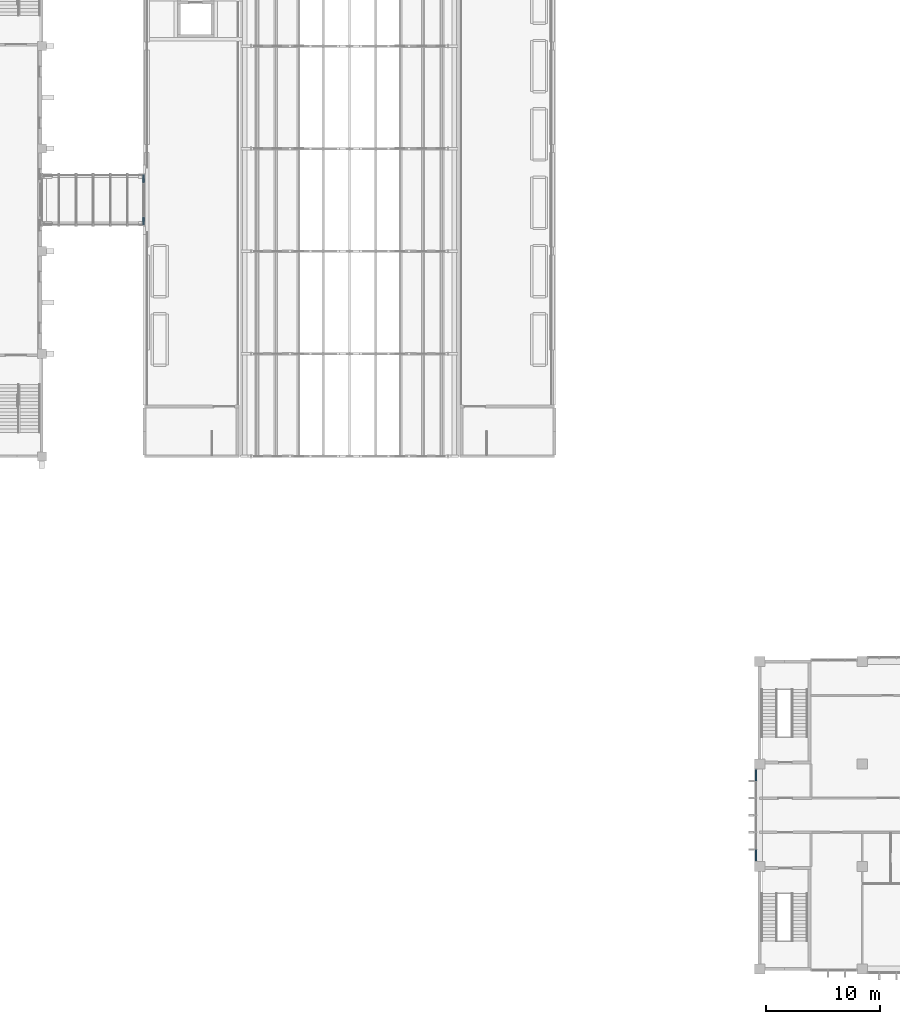
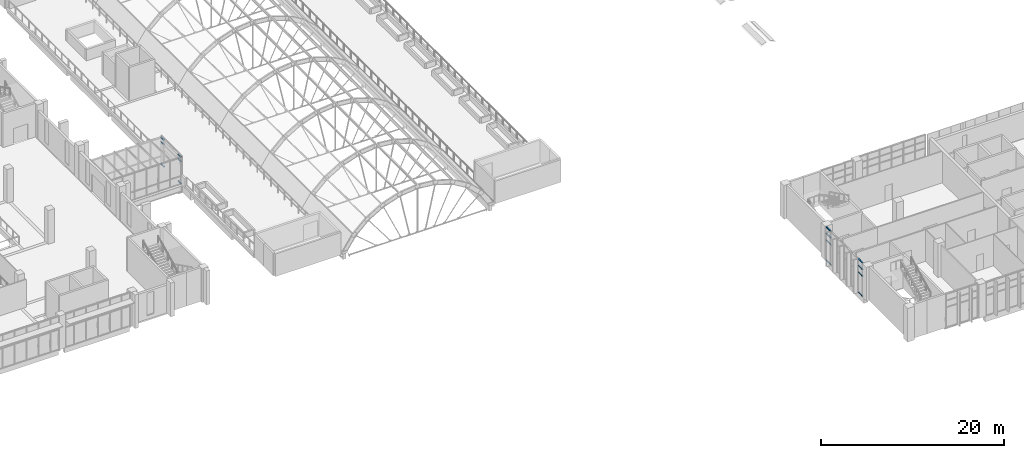
# One storey, part 38 of 79: 14 members, 2 elements without a shape of their own.
"""IFC4 building model written with IfcOpenShell, lengths in metres."""

from ifc_helpers import new_model, si_unit, direction, frame, origin, origin_2d, place, context, subcontext, project, spatial, rectangle, extrude, material, layer, layer_set, material_profile, profile_set, type_object, element, aggregate, save


model = new_model("IFC4")

# Units and contexts
model_context = context("Model", 3, precision=1e-05, world=origin(), true_north=direction((0.0, 1.0)))
body_context = subcontext(model_context, "Body", "Model", "MODEL_VIEW")
ifc_project = project(units=[si_unit("LENGTHUNIT", "METRE"), si_unit("AREAUNIT", "SQUARE_METRE"), si_unit("VOLUMEUNIT", "CUBIC_METRE"), si_unit("PLANEANGLEUNIT", "RADIAN"), si_unit("MASSUNIT", "GRAM", prefix="KILO")], contexts=[model_context])

# Site, building, storey
site_placement = place(None, origin())
site = spatial("IfcSite", under=ifc_project, at=site_placement, CompositionType="ELEMENT")
building_placement = place(site_placement, origin())
building = spatial("IfcBuilding", under=site, at=building_placement, Name="Guidao Yard Department Store", CompositionType="ELEMENT")
storey_placement = place(building_placement, frame((0.0, 0.0, 15.0)))
storey = spatial("IfcBuildingStorey", under=building, at=storey_placement, Name="L03", CompositionType="ELEMENT", Elevation=15.0)

# Curtain wall, members
ifc_material_1 = material(Name="Aluminium and glass", Category="aluminium")
ifc_layer_1 = layer(ifc_material_1, 0.159912109375)
ifc_layer_set_1 = layer_set([ifc_layer_1], Name="Unitised curtain wall CW4 1500 module")
curtain_wall_type_1 = type_object("IfcCurtainWallType", Name="Unitised curtain wall CW4 1500 module", PredefinedType="NOTDEFINED", material=ifc_layer_set_1)
curtain_wall_1_placement = place(storey_placement, origin())
curtain_wall_1 = element("IfcCurtainWall", 1, at=curtain_wall_1_placement, inside=storey, type_object=curtain_wall_type_1, Name="Unitised curtain wall", PredefinedType="NOTDEFINED")
ifc_material_2 = material(Name="Aluminium 6063-T5", Category="aluminium")
ifc_material_profile = material_profile(ifc_material_2, rectangle(XDim=0.1201171875, YDim=0.06005859375, at=origin_2d()), Name="Transom T1 60 x 120 aluminium pressure plate")
ifc_profile_set = profile_set([ifc_material_profile], Name="Aluminium 6063-T5")
member_type = type_object("IfcMemberType", Name="Transom T1 60 x 120 aluminium pressure plate", PredefinedType="USERDEFINED", material=ifc_profile_set)
member_1_placement = place(storey_placement, frame((125.669921875, 9.510009765625, 0.030029296875), z_axis=(0.0, 1.0, 0.0), x_axis=(-1.0, 0.0, 0.0)))
member_1 = element("IfcMember", 2, at=member_1_placement, type_object=member_type, Name="CW-OW-L03-05 transom 1.1", ObjectType="TRANSOM", PredefinedType="USERDEFINED", context=body_context, shape_type="SweptSolid", body=[
    extrude(rectangle(XDim=0.1201171875, YDim=0.06005859375, at=origin_2d()), origin(), (0.0, 0.0, 1.0), 0.9599609375),
])
member_2_placement = place(storey_placement, frame((125.669921875, 9.510009765625, 2.699951171875), z_axis=(0.0, 1.0, 0.0), x_axis=(-1.0, 0.0, 0.0)))
member_2 = element("IfcMember", 3, at=member_2_placement, type_object=member_type, Name="CW-OW-L03-05 transom 1.2", ObjectType="TRANSOM", PredefinedType="USERDEFINED", context=body_context, shape_type="SweptSolid", body=[
    extrude(rectangle(XDim=0.1201171875, YDim=0.06005859375, at=origin_2d()), origin(), (0.0, 0.0, 1.0), 0.9599609375),
])
member_3_placement = place(storey_placement, frame((125.669921875, 9.510009765625, 3.60009765625), z_axis=(0.0, 1.0, 0.0), x_axis=(-1.0, 0.0, 0.0)))
member_3 = element("IfcMember", 4, at=member_3_placement, type_object=member_type, Name="CW-OW-L03-05 transom 1.3", ObjectType="TRANSOM", PredefinedType="USERDEFINED", context=body_context, shape_type="SweptSolid", body=[
    extrude(rectangle(XDim=0.1201171875, YDim=0.06005859375, at=origin_2d()), origin(), (0.0, 0.0, 1.0), 0.9599609375),
])
member_4_placement = place(storey_placement, frame((125.669921875, 9.510009765625, 4.469970703125), z_axis=(0.0, 1.0, 0.0), x_axis=(-1.0, 0.0, 0.0)))
member_4 = element("IfcMember", 5, at=member_4_placement, type_object=member_type, Name="CW-OW-L03-05 transom 1.4", ObjectType="TRANSOM", PredefinedType="USERDEFINED", context=body_context, shape_type="SweptSolid", body=[
    extrude(rectangle(XDim=0.1201171875, YDim=0.06005859375, at=origin_2d()), origin(), (0.0, 0.0, 1.0), 0.9599609375),
])
member_5_placement = place(storey_placement, frame((125.669921875, 16.530029296875, 0.030029296875), z_axis=(0.0, 1.0, 0.0), x_axis=(-1.0, 0.0, 0.0)))
member_5 = element("IfcMember", 6, at=member_5_placement, type_object=member_type, Name="CW-OW-L03-05 transom 6.1", ObjectType="TRANSOM", PredefinedType="USERDEFINED", context=body_context, shape_type="SweptSolid", body=[
    extrude(rectangle(XDim=0.1201171875, YDim=0.06005859375, at=origin_2d()), origin(), (0.0, 0.0, 1.0), 0.9599609375),
])
member_6_placement = place(storey_placement, frame((125.669921875, 16.530029296875, 2.699951171875), z_axis=(0.0, 1.0, 0.0), x_axis=(-1.0, 0.0, 0.0)))
member_6 = element("IfcMember", 7, at=member_6_placement, type_object=member_type, Name="CW-OW-L03-05 transom 6.2", ObjectType="TRANSOM", PredefinedType="USERDEFINED", context=body_context, shape_type="SweptSolid", body=[
    extrude(rectangle(XDim=0.1201171875, YDim=0.06005859375, at=origin_2d()), origin(), (0.0, 0.0, 1.0), 0.9599609375),
])
member_7_placement = place(storey_placement, frame((125.669921875, 16.530029296875, 3.60009765625), z_axis=(0.0, 1.0, 0.0), x_axis=(-1.0, 0.0, 0.0)))
member_7 = element("IfcMember", 8, at=member_7_placement, type_object=member_type, Name="CW-OW-L03-05 transom 6.3", ObjectType="TRANSOM", PredefinedType="USERDEFINED", context=body_context, shape_type="SweptSolid", body=[
    extrude(rectangle(XDim=0.1201171875, YDim=0.06005859375, at=origin_2d()), origin(), (0.0, 0.0, 1.0), 0.9599609375),
])
member_8_placement = place(storey_placement, frame((125.669921875, 16.530029296875, 4.469970703125), z_axis=(0.0, 1.0, 0.0), x_axis=(-1.0, 0.0, 0.0)))
member_8 = element("IfcMember", 9, at=member_8_placement, type_object=member_type, Name="CW-OW-L03-05 transom 6.4", ObjectType="TRANSOM", PredefinedType="USERDEFINED", context=body_context, shape_type="SweptSolid", body=[
    extrude(rectangle(XDim=0.1201171875, YDim=0.06005859375, at=origin_2d()), origin(), (0.0, 0.0, 1.0), 0.9599609375),
])
aggregate(curtain_wall_1, [member_1, member_2, member_3, member_4, member_5, member_6, member_7, member_8])

ifc_material_3 = material(Name="Aluminium and glass", Category="aluminium")
ifc_layer_2 = layer(ifc_material_3, 0.159912109375)
ifc_layer_set_2 = layer_set([ifc_layer_2], Name="Bridge glazing CW5 1500 module")
curtain_wall_type_2 = type_object("IfcCurtainWallType", Name="Bridge glazing CW5 1500 module", PredefinedType="NOTDEFINED", material=ifc_layer_set_2)
curtain_wall_2_placement = place(storey_placement, origin())
curtain_wall_2 = element("IfcCurtainWall", 10, at=curtain_wall_2_placement, inside=storey, type_object=curtain_wall_type_2, Name="Bridge end screen BR05", PredefinedType="NOTDEFINED")
member_9_placement = place(storey_placement, frame((71.919921875, 65.969970703125, 0.030029296875), z_axis=(0.0, -1.0, 0.0), x_axis=(1.0, 0.0, 0.0)))
member_9 = element("IfcMember", 11, at=member_9_placement, type_object=member_type, Name="CW-E-L03-03 transom 1.1", ObjectType="TRANSOM", PredefinedType="USERDEFINED", context=body_context, shape_type="SweptSolid", body=[
    extrude(rectangle(XDim=0.1201171875, YDim=0.06005859375, at=origin_2d()), origin(), (0.0, 0.0, 1.0), 0.659912109375),
])
member_10_placement = place(storey_placement, frame((71.919921875, 65.969970703125, 3.0), z_axis=(0.0, -1.0, 0.0), x_axis=(1.0, 0.0, 0.0)))
member_10 = element("IfcMember", 12, at=member_10_placement, type_object=member_type, Name="CW-E-L03-03 transom 1.2", ObjectType="TRANSOM", PredefinedType="USERDEFINED", context=body_context, shape_type="SweptSolid", body=[
    extrude(rectangle(XDim=0.1201171875, YDim=0.06005859375, at=origin_2d()), origin(), (0.0, 0.0, 1.0), 0.659912109375),
])
member_11_placement = place(storey_placement, frame((71.919921875, 65.969970703125, 3.570068359375), z_axis=(0.0, -1.0, 0.0), x_axis=(1.0, 0.0, 0.0)))
member_11 = element("IfcMember", 13, at=member_11_placement, type_object=member_type, Name="CW-E-L03-03 transom 1.3", ObjectType="TRANSOM", PredefinedType="USERDEFINED", context=body_context, shape_type="SweptSolid", body=[
    extrude(rectangle(XDim=0.1201171875, YDim=0.06005859375, at=origin_2d()), origin(), (0.0, 0.0, 1.0), 0.659912109375),
])
member_12_placement = place(storey_placement, frame((71.919921875, 69.68994140625, 0.030029296875), z_axis=(0.0, -1.0, 0.0), x_axis=(1.0, 0.0, 0.0)))
member_12 = element("IfcMember", 14, at=member_12_placement, type_object=member_type, Name="CW-E-L03-03 transom 3.1", ObjectType="TRANSOM", PredefinedType="USERDEFINED", context=body_context, shape_type="SweptSolid", body=[
    extrude(rectangle(XDim=0.1201171875, YDim=0.06005859375, at=origin_2d()), origin(), (0.0, 0.0, 1.0), 0.659912109375),
])
member_13_placement = place(storey_placement, frame((71.919921875, 69.68994140625, 3.0), z_axis=(0.0, -1.0, 0.0), x_axis=(1.0, 0.0, 0.0)))
member_13 = element("IfcMember", 15, at=member_13_placement, type_object=member_type, Name="CW-E-L03-03 transom 3.2", ObjectType="TRANSOM", PredefinedType="USERDEFINED", context=body_context, shape_type="SweptSolid", body=[
    extrude(rectangle(XDim=0.1201171875, YDim=0.06005859375, at=origin_2d()), origin(), (0.0, 0.0, 1.0), 0.659912109375),
])
member_14_placement = place(storey_placement, frame((71.919921875, 69.68994140625, 3.570068359375), z_axis=(0.0, -1.0, 0.0), x_axis=(1.0, 0.0, 0.0)))
member_14 = element("IfcMember", 16, at=member_14_placement, type_object=member_type, Name="CW-E-L03-03 transom 3.3", ObjectType="TRANSOM", PredefinedType="USERDEFINED", context=body_context, shape_type="SweptSolid", body=[
    extrude(rectangle(XDim=0.1201171875, YDim=0.06005859375, at=origin_2d()), origin(), (0.0, 0.0, 1.0), 0.659912109375),
])
aggregate(curtain_wall_2, [member_9, member_10, member_11, member_12, member_13, member_14])

save(model, "model.ifc")
